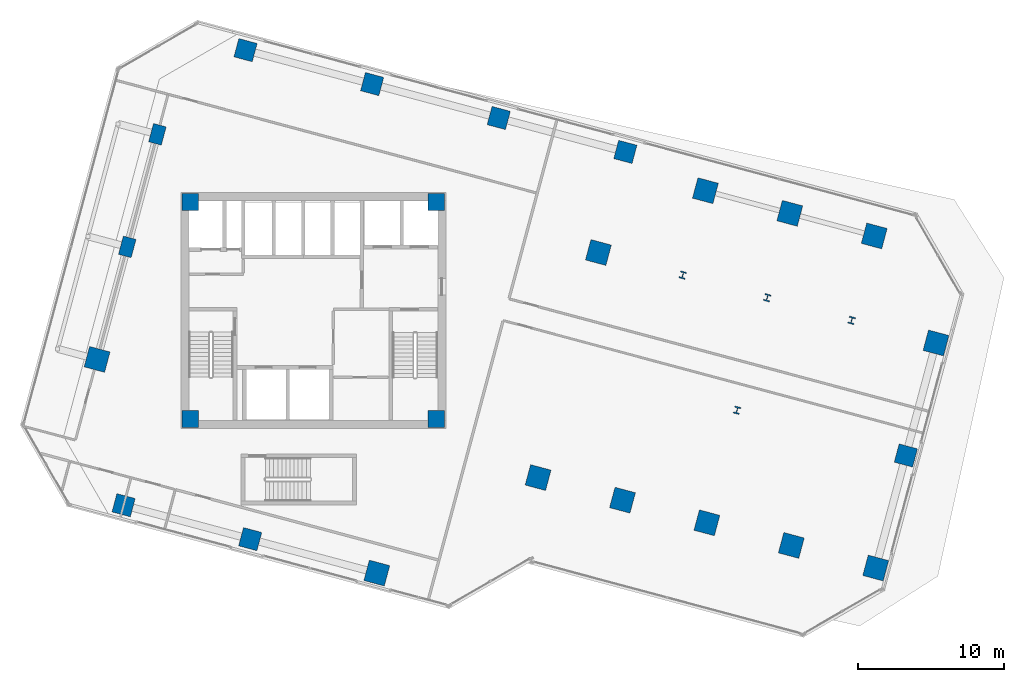
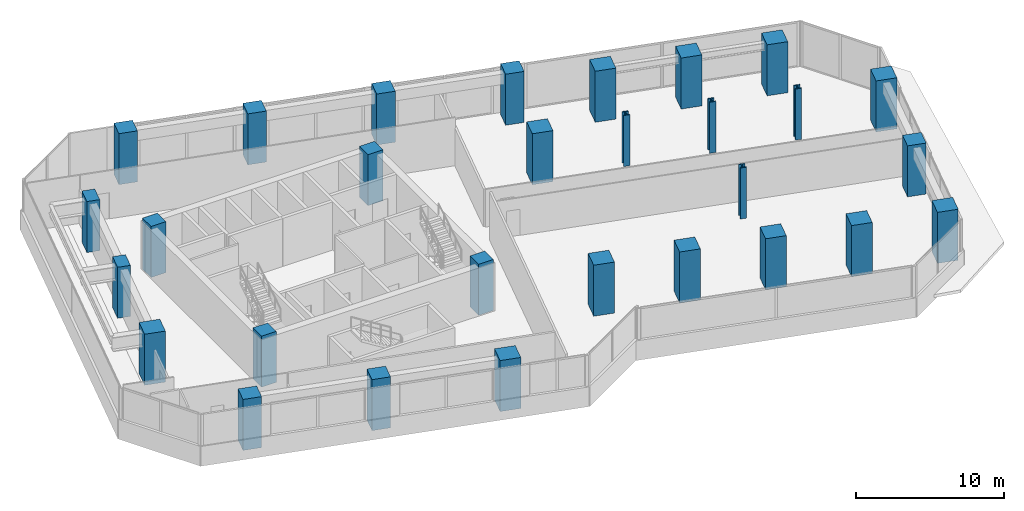
# One storey, part 1 of 26: 29 columns.
"""IFC4 building model written with IfcOpenShell, lengths in metres."""

from ifc_helpers import new_model, si_unit, direction, frame, origin, origin_2d, place, context, subcontext, project, spatial, rectangle, i_section, extrude, source, transform, mapped, material, material_profile, profile_set, type_object, element, save


model = new_model("IFC4")

# Units and contexts
model_context = context("Model", 3, precision=1e-05, world=origin(), true_north=direction((0.0, 1.0)))
body_context = subcontext(model_context, "Body", "Model", "MODEL_VIEW")
ifc_project = project(units=[si_unit("LENGTHUNIT", "METRE"), si_unit("AREAUNIT", "SQUARE_METRE"), si_unit("VOLUMEUNIT", "CUBIC_METRE"), si_unit("PLANEANGLEUNIT", "RADIAN"), si_unit("MASSUNIT", "GRAM", prefix="KILO")], contexts=[model_context])

# Site, building, storey
site_placement = place(None, origin())
site = spatial("IfcSite", under=ifc_project, at=site_placement, CompositionType="ELEMENT")
building_placement = place(site_placement, origin())
building = spatial("IfcBuilding", under=site, at=building_placement, Name="Torre Montelarca", CompositionType="ELEMENT")
storey_placement = place(building_placement, frame((0.0, 0.0, 100.0)))
storey = spatial("IfcBuildingStorey", under=building, at=storey_placement, Name="L22", CompositionType="ELEMENT", Elevation=100.0)

# Columns
ifc_material_1 = material(Name="Concrete C55/67", Category="concrete")
ifc_material_profile_1 = material_profile(ifc_material_1, rectangle(XDim=1.14990234375, YDim=1.14990234375, at=origin_2d()), Name="RC1150X1150", Category="concrete")
ifc_profile_set_1 = profile_set([ifc_material_profile_1], Name="Concrete C55/67")
column_type_1 = type_object("IfcColumnType", Name="COL-RC1150", PredefinedType="COLUMN", material=ifc_profile_set_1)
shared_shape_1 = source(origin(), body_context, "Body", "SweptSolid", [
    extrude(rectangle(XDim=1.14990234375, YDim=1.14990234375, at=origin_2d()), origin(), (0.0, 0.0, 1.0), 4.198486328125),
])
for number, where, z_axis, x_axis, name in (
    (1, (9.550048828125, 24.550048828125, 0.000732421875), (0.0, 0.0, 1.0), (1.0, 0.0, 0.0), "L22 Plumb Core Corner Column 2D"),
    (2, (26.449951171875, 24.550048828125, 0.000732421875), (0.0, 0.0, 1.0), (1.0, 0.0, 0.0), "L22 Plumb Core Corner Column 4D"),
    (3, (9.550048828125, 39.449951171875, 0.000732421875), (0.0, 0.0, 1.0), (1.0, 0.0, 0.0), "L22 Plumb Core Corner Column 2F"),
    (4, (26.449951171875, 39.449951171875, 0.000732421875), (0.0, 0.0, 1.0), (1.0, 0.0, 0.0), "L22 Plumb Core Corner Column 4F"),
):
    element("IfcColumn", number, at=place(storey_placement, frame(where, z_axis=z_axis, x_axis=x_axis)), inside=storey, type_object=column_type_1, Name=name, PredefinedType="COLUMN", context=body_context, shape_type="MappedRepresentation", body=[
        mapped(shared_shape_1, transform((0.0, 0.0, 0.0), scale=1.0)),
    ])
ifc_material_2 = material(Name="Concrete C70/85", Category="concrete")
ifc_material_profile_2 = material_profile(ifc_material_2, rectangle(XDim=1.300048828125, YDim=1.300048828125, at=origin_2d()), Name="RC1300X1300", Category="concrete")
ifc_profile_set_2 = profile_set([ifc_material_profile_2], Name="Concrete C70/85")
column_type_2 = type_object("IfcColumnType", Name="COL-RC1300-EXT", PredefinedType="COLUMN", material=ifc_profile_set_2)
shared_shape_2 = source(origin(), body_context, "Body", "SweptSolid", [
    extrude(rectangle(XDim=1.300048828125, YDim=1.300048828125, at=origin_2d()), origin(), (0.0, 0.0, 1.0), 4.198486328125),
])
for number, where, z_axis, x_axis, name in (
    (5, (4.97412109375, 18.621337890625, 0.000732421875), (0.0, 0.0, 1.0), (-0.965925826289, 0.258819045103, 0.0), "L22 Column 2/CS"),
    (6, (13.346923828125, 49.868896484375, 0.000732421875), (0.0, 0.0, 1.0), (-0.965925826289, 0.258819045103, 0.0), "L22 Column 2/GN"),
    (7, (13.66748046875, 16.2919921875, 0.000732421875), (0.0, 0.0, 1.0), (-0.965925826289, 0.258819045103, 0.0), "L22 Column 3/CS"),
    (8, (22.040283203125, 47.53955078125, 0.000732421875), (0.0, 0.0, 1.0), (-0.965925826289, 0.258819045103, 0.0), "L22 Column 3/GN"),
    (9, (30.733642578125, 45.210205078125, 0.000732421875), (0.0, 0.0, 1.0), (-0.965925826289, 0.258819045103, 0.0), "L22 Column 4/GN"),
    (10, (39.427001953125, 42.880859375, 0.000732421875), (0.0, 0.0, 1.0), (-0.965925826289, 0.258819045103, 0.0), "L22 Column 5/GN"),
    (11, (58.68798828125, 22.035400390625, 0.000732421875), (0.0, 0.0, 1.0), (-0.965925826289, 0.258819045103, 0.0), "L22 Column 9/E"),
):
    element("IfcColumn", number, at=place(storey_placement, frame(where, z_axis=z_axis, x_axis=x_axis)), inside=storey, type_object=column_type_2, Name=name, PredefinedType="COLUMN", context=body_context, shape_type="MappedRepresentation", body=[
        mapped(shared_shape_2, transform((0.0, 0.0, 0.0), scale=1.0)),
    ])
ifc_material_profile_3 = material_profile(ifc_material_2, rectangle(XDim=1.449951171875, YDim=1.449951171875, at=origin_2d()), Name="RC1450X1450", Category="concrete")
ifc_profile_set_3 = profile_set([ifc_material_profile_3], Name="Concrete C70/85")
column_type_3 = type_object("IfcColumnType", Name="COL-RC1450-EXT", PredefinedType="COLUMN", material=ifc_profile_set_3)
shared_shape_3 = source(origin(), body_context, "Body", "SweptSolid", [
    extrude(rectangle(XDim=1.449951171875, YDim=1.449951171875, at=origin_2d()), origin(), (0.0, 0.0, 1.0), 4.198486328125),
])
for number, where, z_axis, x_axis, name in (
    (12, (22.36083984375, 13.962646484375, 0.000732421875), (0.0, 0.0, 1.0), (-0.965925826289, 0.258819045103, 0.0), "L22 Perimeter Mega Column 4/CS"),
    (13, (56.61767578125, 14.30810546875, 0.000732421875), (0.0, 0.0, 1.0), (-0.965925826289, 0.258819045103, 0.0), "L22 Perimeter Mega Column 9/D"),
    (14, (60.7587890625, 29.762939453125, 0.000732421875), (0.0, 0.0, 1.0), (-0.965925826289, 0.258819045103, 0.0), "L22 Perimeter Mega Column 9/F"),
    (15, (3.153564453125, 28.6337890625, 0.000732421875), (0.0, 0.0, 1.0), (-0.965925826289, 0.258819045103, 0.0), "L22 Perimeter Mega Column 1W/D"),
):
    element("IfcColumn", number, at=place(storey_placement, frame(where, z_axis=z_axis, x_axis=x_axis)), inside=storey, type_object=column_type_3, Name=name, PredefinedType="COLUMN", context=body_context, shape_type="MappedRepresentation", body=[
        mapped(shared_shape_3, transform((0.0, 0.0, 0.0), scale=1.0)),
    ])
ifc_material_profile_4 = material_profile(ifc_material_2, rectangle(XDim=1.449951171875, YDim=1.449951171875, at=origin_2d()), Name="RC1450X1450", Category="concrete")
ifc_profile_set_4 = profile_set([ifc_material_profile_4], Name="Concrete C70/85")
column_type_4 = type_object("IfcColumnType", Name="COL-RC1450", PredefinedType="COLUMN", material=ifc_profile_set_4)
shared_shape_4 = source(origin(), body_context, "Body", "SweptSolid", [
    extrude(rectangle(XDim=1.449951171875, YDim=1.449951171875, at=origin_2d()), origin(), (0.0, 0.0, 1.0), 4.198486328125),
])
for number, where, z_axis, x_axis, name in (
    (16, (33.435302734375, 20.519775390625, 0.000732421875), (0.0, 0.0, 1.0), (-0.965925826289, 0.258819045103, 0.0), "L22 Column 5/D"),
    (17, (37.576416015625, 35.974609375, 0.000732421875), (0.0, 0.0, 1.0), (-0.965925826289, 0.258819045103, 0.0), "L22 Column 5/F"),
    (18, (39.23095703125, 18.966796875, 0.000732421875), (0.0, 0.0, 1.0), (-0.965925826289, 0.258819045103, 0.0), "L22 Column 6/D"),
    (19, (44.9248046875, 40.21728515625, 0.000732421875), (0.0, 0.0, 1.0), (-0.965925826289, 0.258819045103, 0.0), "L22 Column 6/G"),
    (20, (45.026611328125, 17.413818359375, 0.000732421875), (0.0, 0.0, 1.0), (-0.965925826289, 0.258819045103, 0.0), "L22 Column 7/D"),
    (21, (50.720458984375, 38.664306640625, 0.000732421875), (0.0, 0.0, 1.0), (-0.965925826289, 0.258819045103, 0.0), "L22 Column 7/G"),
    (22, (50.822021484375, 15.861083984375, 0.000732421875), (0.0, 0.0, 1.0), (-0.965925826289, 0.258819045103, 0.0), "L22 Column 8/D"),
    (23, (56.51611328125, 37.111328125, 0.000732421875), (0.0, 0.0, 1.0), (-0.965925826289, 0.258819045103, 0.0), "L22 Column 8/G"),
):
    element("IfcColumn", number, at=place(storey_placement, frame(where, z_axis=z_axis, x_axis=x_axis)), inside=storey, type_object=column_type_4, Name=name, PredefinedType="COLUMN", context=body_context, shape_type="MappedRepresentation", body=[
        mapped(shared_shape_4, transform((0.0, 0.0, 0.0), scale=1.0)),
    ])
ifc_material_3 = material(Name="Steel ASTM A992 Grade 50", Category="steel")
ifc_material_profile_5 = material_profile(ifc_material_3, i_section(OverallWidth=0.431884765625, OverallDepth=0.498046875, WebThickness=0.0556640625, FlangeThickness=0.0888671875, FilletRadius=0.014892578125, at=origin_2d()), Name="W360X744", Category="steel")
ifc_profile_set_5 = profile_set([ifc_material_profile_5], Name="Steel ASTM A992 Grade 50")
column_type_5 = type_object("IfcColumnType", Name="COL-W360X744", PredefinedType="COLUMN", material=ifc_profile_set_5)
shared_shape_5 = source(origin(), body_context, "Body", "SweptSolid", [
    extrude(i_section(OverallWidth=0.431884765625, OverallDepth=0.498046875, WebThickness=0.0556640625, FlangeThickness=0.0888671875, FilletRadius=0.014892578125, at=origin_2d()), origin(), (0.0, 0.0, 1.0), 4.198486328125),
])
for number, where, z_axis, x_axis, name in (
    (24, (43.3720703125, 34.421630859375, 0.000732421875), (0.0, 0.0, 1.0), (-0.965925826289, 0.258819045103, 0.0), "L22 Column 6/F"),
    (25, (47.096923828125, 25.141357421875, 0.000732421875), (0.0, 0.0, 1.0), (-0.965925826289, 0.258819045103, 0.0), "L22 Column 7/E"),
    (26, (49.16748046875, 32.86865234375, 0.000732421875), (0.0, 0.0, 1.0), (-0.965925826289, 0.258819045103, 0.0), "L22 Column 7/F"),
    (27, (54.963134765625, 31.31591796875, 0.000732421875), (0.0, 0.0, 1.0), (-0.965925826289, 0.258819045103, 0.0), "L22 Column 8/F"),
):
    element("IfcColumn", number, at=place(storey_placement, frame(where, z_axis=z_axis, x_axis=x_axis)), inside=storey, type_object=column_type_5, Name=name, PredefinedType="COLUMN", context=body_context, shape_type="MappedRepresentation", body=[
        mapped(shared_shape_5, transform((0.0, 0.0, 0.0), scale=1.0)),
    ])
ifc_material_profile_6 = material_profile(ifc_material_1, rectangle(XDim=0.89990234375, YDim=1.300048828125, at=origin_2d()), Name="RC1300X900", Category="concrete")
ifc_profile_set_6 = profile_set([ifc_material_profile_6], Name="Concrete C55/67")
column_type_6 = type_object("IfcColumnType", Name="COL-PIL1300-EXT", PredefinedType="PILASTER", material=ifc_profile_set_6)
shared_shape_6 = source(origin(), body_context, "Body", "SweptSolid", [
    extrude(rectangle(XDim=0.89990234375, YDim=1.300048828125, at=origin_2d()), origin(), (0.0, 0.0, 1.0), 4.198486328125),
])
for number, where, z_axis, x_axis, name in (
    (28, (5.22412109375, 36.361083984375, 0.000732421875), (0.0, 0.0, 1.0), (-0.965925826289, 0.258819045103, 0.0), "L22 Column 1W/E"),
    (29, (7.294677734375, 44.08837890625, 0.000732421875), (0.0, 0.0, 1.0), (-0.965925826289, 0.258819045103, 0.0), "L22 Column 1W/F"),
):
    element("IfcColumn", number, at=place(storey_placement, frame(where, z_axis=z_axis, x_axis=x_axis)), inside=storey, type_object=column_type_6, Name=name, PredefinedType="PILASTER", context=body_context, shape_type="MappedRepresentation", body=[
        mapped(shared_shape_6, transform((0.0, 0.0, 0.0), scale=1.0)),
    ])

save(model, "model.ifc")
